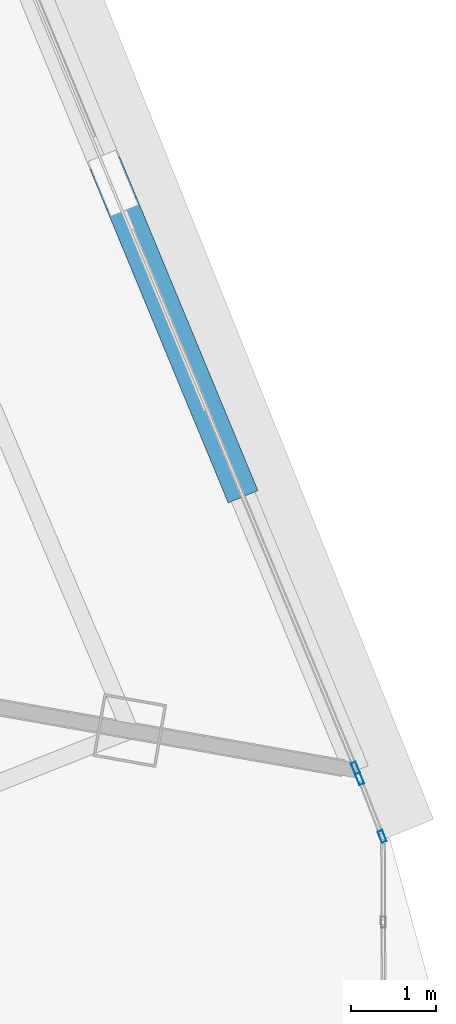
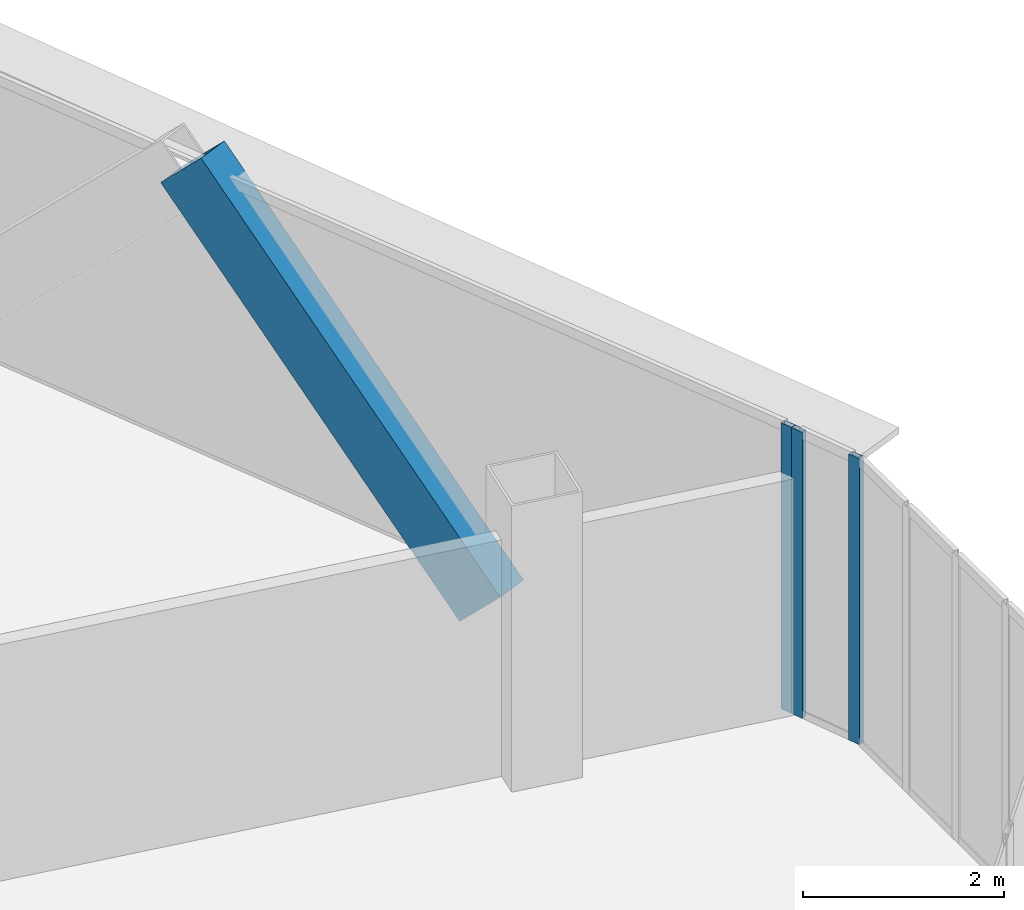
# One storey, part 16 of 40: 4 members, 2 elements without a shape of their own.
"""IFC4 building model written with IfcOpenShell, lengths in metres."""

from ifc_helpers import new_model, si_unit, direction, frame, origin, origin_2d, place, context, subcontext, project, spatial, hollow_rectangle, extrude, source, transform, mapped, material, layer, layer_set, material_profile, profile_set, type_object, element, aggregate, save


model = new_model("IFC4")

# Units and contexts
model_context = context("Model", 3, precision=1e-05, world=origin(), true_north=direction((0.0, 1.0)))
body_context = subcontext(model_context, "Body", "Model", "MODEL_VIEW")
ifc_project = project(units=[si_unit("LENGTHUNIT", "METRE"), si_unit("AREAUNIT", "SQUARE_METRE"), si_unit("VOLUMEUNIT", "CUBIC_METRE"), si_unit("PLANEANGLEUNIT", "RADIAN"), si_unit("MASSUNIT", "GRAM", prefix="KILO"), si_unit("THERMODYNAMICTEMPERATUREUNIT", "KELVIN"), si_unit("POWERUNIT", "WATT")], contexts=[model_context])

# Site, building, storey
site_placement = place(None, origin())
site = spatial("IfcSite", under=ifc_project, at=site_placement, CompositionType="ELEMENT")
building_placement = place(site_placement, origin())
building = spatial("IfcBuilding", under=site, at=building_placement, Name="Yunzhuo Pagoda Commons", CompositionType="ELEMENT")
storey_placement = place(building_placement, frame((0.0, 0.0, 292.47998046875)))
storey = spatial("IfcBuildingStorey", under=building, at=storey_placement, Name="L73", CompositionType="ELEMENT", Elevation=292.47998046875)

# Member
ifc_material_1 = material(Name="Structural steel Q355B", Category="steel")
ifc_material_profile_1 = material_profile(ifc_material_1, hollow_rectangle(XDim=0.3798828125, YDim=0.719970703125, WallThickness=0.02001953125, at=origin_2d()), Name="Structural steel Q355B")
ifc_profile_set_1 = profile_set([ifc_material_profile_1], Name="Structural steel Q355B")
member_type_1 = type_object("IfcMemberType", Name="M-DL3 Brace BOX 720x380x20", PredefinedType="BRACE", material=ifc_profile_set_1)
shared_shape_1 = source(origin(), body_context, "Body", "SweptSolid", [
    extrude(hollow_rectangle(XDim=0.3798828125, YDim=0.719970703125, WallThickness=0.02001953125, at=origin_2d()), origin(), (0.0, 0.0, 1.0), 5.2861328125),
])
member_1_placement = place(storey_placement, frame((77.898681640625, 31.635986328125, -0.260009765625), z_axis=(-0.271150627037, 0.654668734159, 0.705610505854), x_axis=(-0.923890529664, -0.38265688181, 0.0)))
element("IfcMember", 1, at=member_1_placement, inside=storey, type_object=member_type_1, Name="L73 facade diamond brace F2.1L", PredefinedType="BRACE", context=body_context, shape_type="MappedRepresentation", body=[
    mapped(shared_shape_1, transform((0.0, 0.0, 0.0), scale=1.0)),
])

# Curtain wall, member
ifc_material_2 = material(Name="Anodized aluminium 6063-T6", Category="aluminium")
ifc_layer = layer(ifc_material_2, 0.139892578125)
ifc_layer_set = layer_set([ifc_layer], Name="Anodized aluminium 6063-T6")
curtain_wall_type = type_object("IfcCurtainWallType", Name="CW-HI High-Zone Ribbon Curtain Wall", PredefinedType="NOTDEFINED", material=ifc_layer_set)
curtain_wall_1_placement = place(storey_placement, origin())
curtain_wall_1 = element("IfcCurtainWall", 2, at=curtain_wall_1_placement, inside=storey, type_object=curtain_wall_type, Name="L73 curtain wall CW-L73-F2B2", PredefinedType="NOTDEFINED")
ifc_material_profile_2 = material_profile(ifc_material_2, hollow_rectangle(XDim=0.06005859375, YDim=0.139892578125, WallThickness=0.00341796875, at=origin_2d()), Name="Anodized aluminium 6063-T6")
ifc_profile_set_2 = profile_set([ifc_material_profile_2], Name="Anodized aluminium 6063-T6")
member_type_2 = type_object("IfcMemberType", Name="CW-HI-M Mullion RHS 140x60x3.5", PredefinedType="MULLION", material=ifc_profile_set_2)
shared_shape_2 = source(origin(), body_context, "Body", "SweptSolid", [
    extrude(hollow_rectangle(XDim=0.06005859375, YDim=0.139892578125, WallThickness=0.00341796875, at=origin_2d()), origin(), (0.0, 0.0, 1.0), 3.4697265625),
])
member_2_placement = place(storey_placement, frame((79.320556640625, 28.203125, 0.000244140625), z_axis=(0.0, 0.0, 1.0), x_axis=(-0.923899046183, -0.382636318796, 0.0)))
member_2 = element("IfcMember", 3, at=member_2_placement, type_object=member_type_2, Name="CW mullion 1", PredefinedType="MULLION", context=body_context, shape_type="MappedRepresentation", body=[
    mapped(shared_shape_2, transform((0.0, 0.0, 0.0), scale=1.0)),
])
aggregate(curtain_wall_1, [member_2])

# Curtain wall, members
curtain_wall_2_placement = place(storey_placement, origin())
curtain_wall_2 = element("IfcCurtainWall", 4, at=curtain_wall_2_placement, inside=storey, type_object=curtain_wall_type, Name="L73 curtain wall CW-L73-F2B1", PredefinedType="NOTDEFINED")
member_3_placement = place(storey_placement, frame((79.63427734375, 27.398193359375, 0.000244140625), z_axis=(0.0, 0.0, 1.0), x_axis=(-0.931923767987, -0.36265423017, 0.0)))
member_3 = element("IfcMember", 5, at=member_3_placement, type_object=member_type_2, Name="CW mullion 1", PredefinedType="MULLION", context=body_context, shape_type="MappedRepresentation", body=[
    mapped(shared_shape_2, transform((0.0, 0.0, 0.0), scale=1.0)),
])
member_4_placement = place(storey_placement, frame((79.369873046875, 28.07763671875, 0.000244140625), z_axis=(0.0, 0.0, 1.0), x_axis=(-0.931923767987, -0.36265423017, 0.0)))
member_4 = element("IfcMember", 6, at=member_4_placement, type_object=member_type_2, Name="CW mullion 2", PredefinedType="MULLION", context=body_context, shape_type="MappedRepresentation", body=[
    mapped(shared_shape_2, transform((0.0, 0.0, 0.0), scale=1.0)),
])
aggregate(curtain_wall_2, [member_3, member_4])

save(model, "model.ifc")
